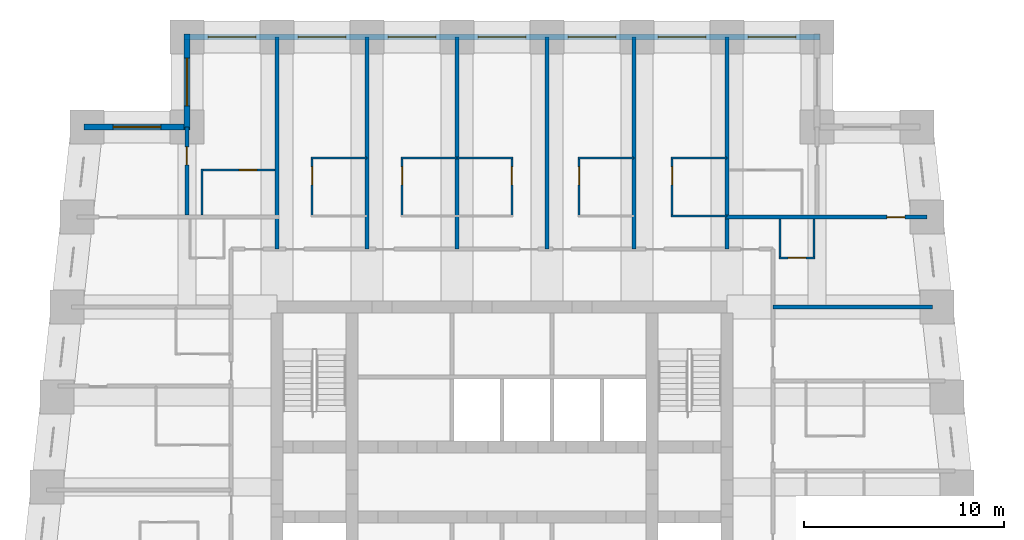
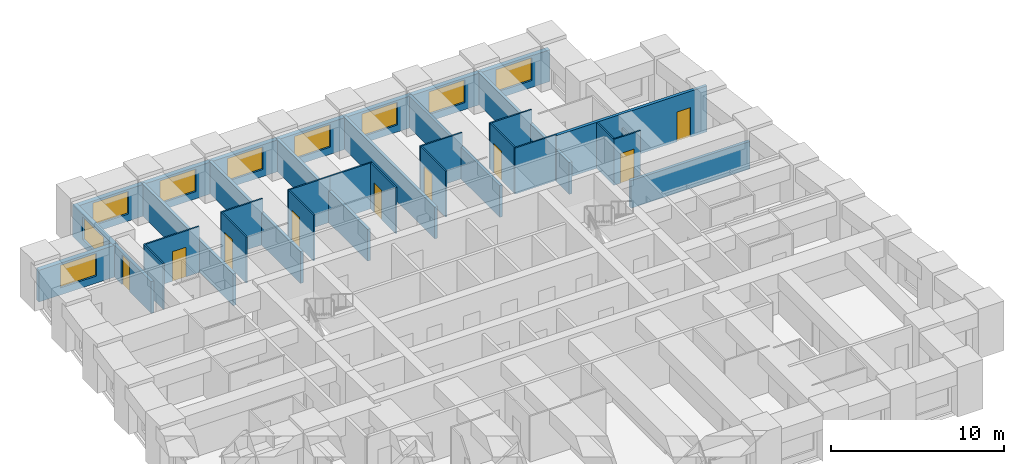
# One storey, part 6 of 8: 28 walls, 9 doors, 9 windows, 18 openings.
"""IFC4 building model written with IfcOpenShell, lengths in metres."""

from ifc_helpers import new_model, si_unit, direction, frame, frame_2d, origin, place, context, subcontext, project, spatial, rectangle, extrude, material, layer, layer_set, type_object, element, fill, save


model = new_model("IFC4")

# Units and contexts
model_context = context("Model", 3, precision=1e-05, world=origin(), true_north=direction((0.0, 1.0)))
body_context = subcontext(model_context, "Body", "Model", "MODEL_VIEW")
ifc_project = project(units=[si_unit("LENGTHUNIT", "METRE"), si_unit("AREAUNIT", "SQUARE_METRE"), si_unit("VOLUMEUNIT", "CUBIC_METRE"), si_unit("PLANEANGLEUNIT", "RADIAN"), si_unit("MASSUNIT", "GRAM", prefix="KILO")], contexts=[model_context])

# Site, building, storey
site_placement = place(None, origin())
site = spatial("IfcSite", under=ifc_project, at=site_placement, CompositionType="ELEMENT")
building_placement = place(site_placement, origin())
building = spatial("IfcBuilding", under=site, at=building_placement, Name="Kilele Tower Hotel", CompositionType="ELEMENT")
storey_placement = place(building_placement, frame((0.0, 0.0, 186.89990234375)))
storey = spatial("IfcBuildingStorey", under=building, at=storey_placement, Name="L48", CompositionType="ELEMENT", Elevation=186.89990234375)

# Wall
ifc_material_1 = material(Name="Moisture-resistant board")
ifc_layer_1 = layer(ifc_material_1, 0.10009765625)
ifc_layer_set_1 = layer_set([ifc_layer_1], Name="Moisture-resistant board")
wall_type_1 = type_object("IfcWallType", Name="Bathroom partition 100", PredefinedType="PLUMBINGWALL", material=ifc_layer_set_1)
wall_1_placement = place(storey_placement, frame((15.199951171875, 34.449951171875, 0.0), z_axis=(0.0, 0.0, 1.0), x_axis=(1.0, 0.0, 0.0)))
element("IfcWall", 1, at=wall_1_placement, inside=storey, type_object=wall_type_1, Name="Bathroom partition 100 L48", PredefinedType="PLUMBINGWALL", context=body_context, shape_type="SweptSolid", body=[
    extrude(rectangle(XDim=2.800048828125, YDim=0.10009765625, at=frame_2d((1.39990234375, 0.0))), origin(), (0.0, 0.0, 1.0), 3.25),
])

# Wall, opening, door
wall_2_placement = place(storey_placement, frame((15.25, 31.5, 0.0), z_axis=(0.0, 0.0, 1.0), x_axis=(0.0, 1.0, 0.0)))
wall_2 = element("IfcWall", 2, at=wall_2_placement, inside=storey, type_object=wall_type_1, Name="Bathroom partition 100 L48", PredefinedType="PLUMBINGWALL", context=body_context, shape_type="SweptSolid", body=[
    extrude(rectangle(XDim=3.0, YDim=0.10009765625, at=frame_2d((1.5, 0.0))), origin(), (0.0, 0.0, 1.0), 3.25),
])
opening_1_placement = place(wall_2_placement, frame((1.60009765625, 0.0, 0.0)))
opening_1 = element("IfcOpeningElement", 3, at=opening_1_placement, cuts=wall_2, Name="Opening D2A", PredefinedType="OPENING", context=body_context, shape_type="SweptSolid", body=[
    extrude(rectangle(XDim=0.89990234375, YDim=2.10009765625, at=frame_2d((0.449951171875, 1.050048828125))), frame((0.0, 0.06005859375, 0.0), z_axis=(0.0, -1.0, 0.0), x_axis=(1.0, 0.0, 0.0)), (0.0, 0.0, 1.0), 0.1201171875),
])
ifc_material_2 = material(Name="Timber door leaf in hardwood frame", Category="wood")
door_type_1 = type_object("IfcDoorType", Name="Bathroom door 900", OperationType="SINGLE_SWING_LEFT", PredefinedType="DOOR", material=ifc_material_2)
door_1_placement = place(opening_1_placement, origin())
door_1 = element("IfcDoor", 4, at=door_1_placement, inside=storey, type_object=door_type_1, Name="Bathroom door 4809B", OperationType="SINGLE_SWING_RIGHT", OverallHeight=2.10009765625, OverallWidth=0.89990234375, PredefinedType="DOOR", context=body_context, shape_type="SweptSolid", body=[
    extrude(rectangle(XDim=0.89990234375, YDim=2.10009765625, at=frame_2d((0.449951171875, 1.050048828125))), frame((0.0, 0.02490234375, 0.0), z_axis=(0.0, -1.0, 0.0), x_axis=(1.0, 0.0, 0.0)), (0.0, 0.0, 1.0), 0.050048828125),
])
fill(opening_1, door_1)

# Wall
wall_3_placement = place(storey_placement, frame((19.699951171875, 34.449951171875, 0.0), z_axis=(0.0, 0.0, 1.0), x_axis=(1.0, 0.0, 0.0)))
element("IfcWall", 5, at=wall_3_placement, inside=storey, type_object=wall_type_1, Name="Bathroom partition 100 L48", PredefinedType="PLUMBINGWALL", context=body_context, shape_type="SweptSolid", body=[
    extrude(rectangle(XDim=2.800048828125, YDim=0.10009765625, at=frame_2d((1.39990234375, 0.0))), origin(), (0.0, 0.0, 1.0), 3.25),
])

# Wall, opening, door
wall_4_placement = place(storey_placement, frame((19.75, 31.5, 0.0), z_axis=(0.0, 0.0, 1.0), x_axis=(0.0, 1.0, 0.0)))
wall_4 = element("IfcWall", 6, at=wall_4_placement, inside=storey, type_object=wall_type_1, Name="Bathroom partition 100 L48", PredefinedType="PLUMBINGWALL", context=body_context, shape_type="SweptSolid", body=[
    extrude(rectangle(XDim=3.0, YDim=0.10009765625, at=frame_2d((1.5, 0.0))), origin(), (0.0, 0.0, 1.0), 3.25),
])
opening_2_placement = place(wall_4_placement, frame((1.60009765625, 0.0, 0.0)))
opening_2 = element("IfcOpeningElement", 7, at=opening_2_placement, cuts=wall_4, Name="Opening D2A", PredefinedType="OPENING", context=body_context, shape_type="SweptSolid", body=[
    extrude(rectangle(XDim=0.89990234375, YDim=2.10009765625, at=frame_2d((0.449951171875, 1.050048828125))), frame((0.0, 0.06005859375, 0.0), z_axis=(0.0, -1.0, 0.0), x_axis=(1.0, 0.0, 0.0)), (0.0, 0.0, 1.0), 0.1201171875),
])
door_2_placement = place(opening_2_placement, origin())
door_2 = element("IfcDoor", 8, at=door_2_placement, inside=storey, type_object=door_type_1, Name="Bathroom door 4810B", OperationType="SINGLE_SWING_RIGHT", OverallHeight=2.10009765625, OverallWidth=0.89990234375, PredefinedType="DOOR", context=body_context, shape_type="SweptSolid", body=[
    extrude(rectangle(XDim=0.89990234375, YDim=2.10009765625, at=frame_2d((0.449951171875, 1.050048828125))), frame((0.0, 0.02490234375, 0.0), z_axis=(0.0, -1.0, 0.0), x_axis=(1.0, 0.0, 0.0)), (0.0, 0.0, 1.0), 0.050048828125),
])
fill(opening_2, door_2)

# Wall
wall_5_placement = place(storey_placement, frame((22.5, 34.449951171875, 0.0), z_axis=(0.0, 0.0, 1.0), x_axis=(1.0, 0.0, 0.0)))
element("IfcWall", 9, at=wall_5_placement, inside=storey, type_object=wall_type_1, Name="Bathroom partition 100 L48", PredefinedType="PLUMBINGWALL", context=body_context, shape_type="SweptSolid", body=[
    extrude(rectangle(XDim=2.800048828125, YDim=0.10009765625, at=frame_2d((1.39990234375, 0.0))), origin(), (0.0, 0.0, 1.0), 3.25),
])

# Wall, opening, door
wall_6_placement = place(storey_placement, frame((25.25, 31.5, 0.0), z_axis=(0.0, 0.0, 1.0), x_axis=(0.0, 1.0, 0.0)))
wall_6 = element("IfcWall", 10, at=wall_6_placement, inside=storey, type_object=wall_type_1, Name="Bathroom partition 100 L48", PredefinedType="PLUMBINGWALL", context=body_context, shape_type="SweptSolid", body=[
    extrude(rectangle(XDim=3.0, YDim=0.10009765625, at=frame_2d((1.5, 0.0))), origin(), (0.0, 0.0, 1.0), 3.25),
])
opening_3_placement = place(wall_6_placement, frame((2.5, 0.0, 0.0), z_axis=(0.0, 0.0, 1.0), x_axis=(-1.0, 0.0, 0.0)))
opening_3 = element("IfcOpeningElement", 11, at=opening_3_placement, cuts=wall_6, Name="Opening D2A", PredefinedType="OPENING", context=body_context, shape_type="SweptSolid", body=[
    extrude(rectangle(XDim=0.89990234375, YDim=2.10009765625, at=frame_2d((0.449951171875, 1.050048828125))), frame((0.0, 0.06005859375, 0.0), z_axis=(0.0, -1.0, 0.0), x_axis=(1.0, 0.0, 0.0)), (0.0, 0.0, 1.0), 0.1201171875),
])
door_3_placement = place(opening_3_placement, origin())
door_3 = element("IfcDoor", 12, at=door_3_placement, inside=storey, type_object=door_type_1, Name="Bathroom door 4811B", OperationType="SINGLE_SWING_LEFT", OverallHeight=2.10009765625, OverallWidth=0.89990234375, PredefinedType="DOOR", context=body_context, shape_type="SweptSolid", body=[
    extrude(rectangle(XDim=0.89990234375, YDim=2.10009765625, at=frame_2d((0.449951171875, 1.050048828125))), frame((0.0, 0.02490234375, 0.0), z_axis=(0.0, -1.0, 0.0), x_axis=(1.0, 0.0, 0.0)), (0.0, 0.0, 1.0), 0.050048828125),
])
fill(opening_3, door_3)

# Wall
wall_7_placement = place(storey_placement, frame((28.550048828125, 34.449951171875, 0.0), z_axis=(0.0, 0.0, 1.0), x_axis=(1.0, 0.0, 0.0)))
element("IfcWall", 13, at=wall_7_placement, inside=storey, type_object=wall_type_1, Name="Bathroom partition 100 L48", PredefinedType="PLUMBINGWALL", context=body_context, shape_type="SweptSolid", body=[
    extrude(rectangle(XDim=2.800048828125, YDim=0.10009765625, at=frame_2d((1.39990234375, 0.0))), origin(), (0.0, 0.0, 1.0), 3.25),
])

# Wall, opening, door
wall_8_placement = place(storey_placement, frame((28.60009765625, 31.5, 0.0), z_axis=(0.0, 0.0, 1.0), x_axis=(0.0, 1.0, 0.0)))
wall_8 = element("IfcWall", 14, at=wall_8_placement, inside=storey, type_object=wall_type_1, Name="Bathroom partition 100 L48", PredefinedType="PLUMBINGWALL", context=body_context, shape_type="SweptSolid", body=[
    extrude(rectangle(XDim=3.0, YDim=0.10009765625, at=frame_2d((1.5, 0.0))), origin(), (0.0, 0.0, 1.0), 3.25),
])
opening_4_placement = place(wall_8_placement, frame((1.60009765625, 0.0, 0.0)))
opening_4 = element("IfcOpeningElement", 15, at=opening_4_placement, cuts=wall_8, Name="Opening D2A", PredefinedType="OPENING", context=body_context, shape_type="SweptSolid", body=[
    extrude(rectangle(XDim=0.89990234375, YDim=2.10009765625, at=frame_2d((0.449951171875, 1.050048828125))), frame((0.0, 0.06005859375, 0.0), z_axis=(0.0, -1.0, 0.0), x_axis=(1.0, 0.0, 0.0)), (0.0, 0.0, 1.0), 0.1201171875),
])
door_4_placement = place(opening_4_placement, origin())
door_4 = element("IfcDoor", 16, at=door_4_placement, inside=storey, type_object=door_type_1, Name="Bathroom door 4812B", OperationType="SINGLE_SWING_RIGHT", OverallHeight=2.10009765625, OverallWidth=0.89990234375, PredefinedType="DOOR", context=body_context, shape_type="SweptSolid", body=[
    extrude(rectangle(XDim=0.89990234375, YDim=2.10009765625, at=frame_2d((0.449951171875, 1.050048828125))), frame((0.0, 0.02490234375, 0.0), z_axis=(0.0, -1.0, 0.0), x_axis=(1.0, 0.0, 0.0)), (0.0, 0.0, 1.0), 0.050048828125),
])
fill(opening_4, door_4)

# Walls
for number, where, z_axis, x_axis, name in (
    (17, (33.199951171875, 31.550048828125, 0.0), (0.0, 0.0, 1.0), (1.0, 0.0, 0.0), "Bathroom partition 100 L48"),
    (18, (33.199951171875, 34.449951171875, 0.0), (0.0, 0.0, 1.0), (1.0, 0.0, 0.0), "Bathroom partition 100 L48"),
):
    element("IfcWall", number, at=place(storey_placement, frame(where, z_axis=z_axis, x_axis=x_axis)), inside=storey, type_object=wall_type_1, Name=name, PredefinedType="PLUMBINGWALL", context=body_context, shape_type="SweptSolid", body=[
        extrude(rectangle(XDim=2.800048828125, YDim=0.10009765625, at=frame_2d((1.39990234375, 0.0))), origin(), (0.0, 0.0, 1.0), 3.25),
    ])

# Wall, opening, door
wall_9_placement = place(storey_placement, frame((33.25, 31.5, 0.0), z_axis=(0.0, 0.0, 1.0), x_axis=(0.0, 1.0, 0.0)))
wall_9 = element("IfcWall", 19, at=wall_9_placement, inside=storey, type_object=wall_type_1, Name="Bathroom partition 100 L48", PredefinedType="PLUMBINGWALL", context=body_context, shape_type="SweptSolid", body=[
    extrude(rectangle(XDim=3.0, YDim=0.10009765625, at=frame_2d((1.5, 0.0))), origin(), (0.0, 0.0, 1.0), 3.25),
])
opening_5_placement = place(wall_9_placement, frame((1.60009765625, 0.0, 0.0)))
opening_5 = element("IfcOpeningElement", 20, at=opening_5_placement, cuts=wall_9, Name="Opening D2A", PredefinedType="OPENING", context=body_context, shape_type="SweptSolid", body=[
    extrude(rectangle(XDim=0.89990234375, YDim=2.10009765625, at=frame_2d((0.449951171875, 1.050048828125))), frame((0.0, 0.06005859375, 0.0), z_axis=(0.0, -1.0, 0.0), x_axis=(1.0, 0.0, 0.0)), (0.0, 0.0, 1.0), 0.1201171875),
])
door_5_placement = place(opening_5_placement, origin())
door_5 = element("IfcDoor", 21, at=door_5_placement, inside=storey, type_object=door_type_1, Name="Bathroom door 4813B", OperationType="SINGLE_SWING_RIGHT", OverallHeight=2.10009765625, OverallWidth=0.89990234375, PredefinedType="DOOR", context=body_context, shape_type="SweptSolid", body=[
    extrude(rectangle(XDim=0.89990234375, YDim=2.10009765625, at=frame_2d((0.449951171875, 1.050048828125))), frame((0.0, 0.02490234375, 0.0), z_axis=(0.0, -1.0, 0.0), x_axis=(1.0, 0.0, 0.0)), (0.0, 0.0, 1.0), 0.050048828125),
])
fill(opening_5, door_5)

# Walls
wall_10_placement = place(storey_placement, frame((40.35009765625, 31.39990234375, 0.0), z_axis=(0.0, 0.0, 1.0), x_axis=(0.0, -1.0, 0.0)))
element("IfcWall", 22, at=wall_10_placement, inside=storey, type_object=wall_type_1, Name="Bathroom partition 100 L48", PredefinedType="PLUMBINGWALL", context=body_context, shape_type="SweptSolid", body=[
    extrude(rectangle(XDim=2.0, YDim=0.10009765625, at=frame_2d((1.0, 0.0))), origin(), (0.0, 0.0, 1.0), 2.25),
])
wall_11_placement = place(storey_placement, frame((38.64990234375, 31.39990234375, 0.0), z_axis=(0.0, 0.0, 1.0), x_axis=(0.0, -1.0, 0.0)))
element("IfcWall", 23, at=wall_11_placement, inside=storey, type_object=wall_type_1, Name="Bathroom partition 100 L48", PredefinedType="PLUMBINGWALL", context=body_context, shape_type="SweptSolid", body=[
    extrude(rectangle(XDim=2.0, YDim=0.10009765625, at=frame_2d((1.0, 0.0))), origin(), (0.0, 0.0, 1.0), 3.25),
])

# Wall, opening, door
wall_12_placement = place(storey_placement, frame((38.60009765625, 29.449951171875, 0.0), z_axis=(0.0, 0.0, 1.0), x_axis=(1.0, 0.0, 0.0)))
wall_12 = element("IfcWall", 24, at=wall_12_placement, inside=storey, type_object=wall_type_1, Name="Bathroom partition 100 L48", PredefinedType="PLUMBINGWALL", context=body_context, shape_type="SweptSolid", body=[
    extrude(rectangle(XDim=1.7998046875, YDim=0.10009765625, at=frame_2d((0.89990234375, 0.0))), origin(), (0.0, 0.0, 1.0), 3.25),
])
opening_6_placement = place(wall_12_placement, frame((1.349853515625, 0.0, 0.0), z_axis=(0.0, 0.0, 1.0), x_axis=(-1.0, 0.0, 0.0)))
opening_6 = element("IfcOpeningElement", 25, at=opening_6_placement, cuts=wall_12, Name="Opening D2A", PredefinedType="OPENING", context=body_context, shape_type="SweptSolid", body=[
    extrude(rectangle(XDim=0.89990234375, YDim=2.10009765625, at=frame_2d((0.449951171875, 1.050048828125))), frame((0.0, 0.06005859375, 0.0), z_axis=(0.0, -1.0, 0.0), x_axis=(1.0, 0.0, 0.0)), (0.0, 0.0, 1.0), 0.1201171875),
])
door_6_placement = place(opening_6_placement, origin())
door_6 = element("IfcDoor", 26, at=door_6_placement, inside=storey, type_object=door_type_1, Name="Bathroom door 4822P", OperationType="SINGLE_SWING_RIGHT", OverallHeight=2.10009765625, OverallWidth=0.89990234375, PredefinedType="DOOR", context=body_context, shape_type="SweptSolid", body=[
    extrude(rectangle(XDim=0.89990234375, YDim=2.10009765625, at=frame_2d((0.449951171875, 1.050048828125))), frame((0.0, 0.02490234375, 0.0), z_axis=(0.0, -1.0, 0.0), x_axis=(1.0, 0.0, 0.0)), (0.0, 0.0, 1.0), 0.050048828125),
])
fill(opening_6, door_6)

# Wall
wall_13_placement = place(storey_placement, frame((9.75, 31.60009765625, 0.0), z_axis=(0.0, 0.0, 1.0), x_axis=(0.0, 1.0, 0.0)))
element("IfcWall", 27, at=wall_13_placement, inside=storey, type_object=wall_type_1, Name="Bathroom partition 100 L48", PredefinedType="PLUMBINGWALL", context=body_context, shape_type="SweptSolid", body=[
    extrude(rectangle(XDim=2.2998046875, YDim=0.10009765625, at=frame_2d((1.14990234375, 0.0))), origin(), (0.0, 0.0, 1.0), 3.25),
])

# Wall, opening, door
wall_14_placement = place(storey_placement, frame((13.39990234375, 33.85009765625, 0.0), z_axis=(0.0, 0.0, 1.0), x_axis=(-1.0, 0.0, 0.0)))
wall_14 = element("IfcWall", 28, at=wall_14_placement, inside=storey, type_object=wall_type_1, Name="Bathroom partition 100 L48", PredefinedType="PLUMBINGWALL", context=body_context, shape_type="SweptSolid", body=[
    extrude(rectangle(XDim=3.699951171875, YDim=0.10009765625, at=frame_2d((1.85009765625, 0.0))), origin(), (0.0, 0.0, 1.0), 3.25),
])
opening_7_placement = place(wall_14_placement, frame((1.7998046875, 0.0, 0.0), z_axis=(0.0, 0.0, 1.0), x_axis=(-1.0, 0.0, 0.0)))
opening_7 = element("IfcOpeningElement", 29, at=opening_7_placement, cuts=wall_14, Name="Opening D2A", PredefinedType="OPENING", context=body_context, shape_type="SweptSolid", body=[
    extrude(rectangle(XDim=0.89990234375, YDim=2.10009765625, at=frame_2d((0.449951171875, 1.050048828125))), frame((0.0, 0.06005859375, 0.0), z_axis=(0.0, -1.0, 0.0), x_axis=(1.0, 0.0, 0.0)), (0.0, 0.0, 1.0), 0.1201171875),
])
door_7_placement = place(opening_7_placement, origin())
door_7 = element("IfcDoor", 30, at=door_7_placement, inside=storey, type_object=door_type_1, Name="Bathroom door 4826B", OperationType="SINGLE_SWING_RIGHT", OverallHeight=2.10009765625, OverallWidth=0.89990234375, PredefinedType="DOOR", context=body_context, shape_type="SweptSolid", body=[
    extrude(rectangle(XDim=0.89990234375, YDim=2.10009765625, at=frame_2d((0.449951171875, 1.050048828125))), frame((0.0, 0.02490234375, 0.0), z_axis=(0.0, -1.0, 0.0), x_axis=(1.0, 0.0, 0.0)), (0.0, 0.0, 1.0), 0.050048828125),
])
fill(opening_7, door_7)

ifc_material_3 = material(Name="Blockwork, plastered both sides", Category="masonry")
ifc_layer_2 = layer(ifc_material_3, 0.199951171875)
ifc_layer_set_2 = layer_set([ifc_layer_2], Name="Blockwork, plastered both sides")
wall_type_2 = type_object("IfcWallType", Name="Partition wall 200", PredefinedType="PARTITIONING", material=ifc_layer_set_2)
wall_15_placement = place(storey_placement, frame((9.0, 31.60009765625, 0.0), z_axis=(0.0, 0.0, 1.0), x_axis=(0.0, 1.0, 0.0)))
wall_15 = element("IfcWall", 31, at=wall_15_placement, inside=storey, type_object=wall_type_2, Name="Partition wall 200 L48", PredefinedType="PARTITIONING", context=body_context, shape_type="SweptSolid", body=[
    extrude(rectangle(XDim=4.39990234375, YDim=0.199951171875, at=frame_2d((2.199951171875, 0.0))), origin(), (0.0, 0.0, 1.0), 2.25),
])
opening_8_placement = place(wall_15_placement, frame((3.39990234375, 0.0, 0.0), z_axis=(0.0, 0.0, 1.0), x_axis=(-1.0, 0.0, 0.0)))
opening_8 = element("IfcOpeningElement", 32, at=opening_8_placement, cuts=wall_15, Name="Opening D3", PredefinedType="OPENING", context=body_context, shape_type="SweptSolid", body=[
    extrude(rectangle(XDim=0.89990234375, YDim=2.10009765625, at=frame_2d((0.449951171875, 1.050048828125))), frame((0.0, 0.10986328125, 0.0), z_axis=(0.0, -1.0, 0.0), x_axis=(1.0, 0.0, 0.0)), (0.0, 0.0, 1.0), 0.219970703125),
])
ifc_material_4 = material(Name="Timber door leaf in hardwood frame", Category="wood")
door_type_2 = type_object("IfcDoorType", Name="Suite internal door 900", OperationType="SINGLE_SWING_LEFT", PredefinedType="DOOR", material=ifc_material_4)
door_8_placement = place(opening_8_placement, origin())
door_8 = element("IfcDoor", 33, at=door_8_placement, inside=storey, type_object=door_type_2, Name="Suite door 4827", OperationType="SINGLE_SWING_RIGHT", OverallHeight=2.10009765625, OverallWidth=0.89990234375, PredefinedType="DOOR", context=body_context, shape_type="SweptSolid", body=[
    extrude(rectangle(XDim=0.89990234375, YDim=2.10009765625, at=frame_2d((0.449951171875, 1.050048828125))), frame((0.0, 0.02490234375, 0.0), z_axis=(0.0, -1.0, 0.0), x_axis=(1.0, 0.0, 0.0)), (0.0, 0.0, 1.0), 0.050048828125),
])
fill(opening_8, door_8)

# Walls
ifc_material_5 = material(Name="Blockwork, plastered both sides", Category="masonry")
ifc_layer_3 = layer(ifc_material_5, 0.199951171875)
ifc_layer_set_3 = layer_set([ifc_layer_3], Name="Blockwork, plastered both sides")
wall_type_3 = type_object("IfcWallType", Name="Party wall 200", PredefinedType="PARTITIONING", material=ifc_layer_set_3)
for number, where, z_axis, x_axis, name in (
    (34, (18.0, 29.89990234375, 0.0), (0.0, 0.0, 1.0), (0.0, 1.0, 0.0), "Party wall 200 L48"),
    (35, (22.5, 29.89990234375, 0.0), (0.0, 0.0, 1.0), (0.0, 1.0, 0.0), "Party wall 200 L48"),
    (36, (27.0, 29.89990234375, 0.0), (0.0, 0.0, 1.0), (0.0, 1.0, 0.0), "Party wall 200 L48"),
    (37, (31.35009765625, 29.89990234375, 0.0), (0.0, 0.0, 1.0), (0.0, 1.0, 0.0), "Party wall 200 L48"),
):
    element("IfcWall", number, at=place(storey_placement, frame(where, z_axis=z_axis, x_axis=x_axis)), inside=storey, type_object=wall_type_3, Name=name, PredefinedType="PARTITIONING", context=body_context, shape_type="SweptSolid", body=[
        extrude(rectangle(XDim=10.60009765625, YDim=0.199951171875, at=frame_2d((5.300048828125, 0.0))), origin(), (0.0, 0.0, 1.0), 2.25),
    ])
wall_16_placement = place(storey_placement, frame((38.300048828125, 27.0, 0.0), z_axis=(0.0, 0.0, 1.0), x_axis=(1.0, 0.0, 0.0)))
element("IfcWall", 38, at=wall_16_placement, inside=storey, type_object=wall_type_3, Name="Party wall 200 L48", PredefinedType="PARTITIONING", context=body_context, shape_type="SweptSolid", body=[
    extrude(rectangle(XDim=7.976806640625, YDim=0.199951171875, at=frame_2d((3.98828125, 0.0))), origin(), (0.0, 0.0, 1.0), 1.9501953125),
])
wall_17_placement = place(storey_placement, frame((36.0, 29.89990234375, 0.0), z_axis=(0.0, 0.0, 1.0), x_axis=(0.0, 1.0, 0.0)))
element("IfcWall", 39, at=wall_17_placement, inside=storey, type_object=wall_type_3, Name="Party wall 200 L48", PredefinedType="PARTITIONING", context=body_context, shape_type="SweptSolid", body=[
    extrude(rectangle(XDim=10.60009765625, YDim=0.199951171875, at=frame_2d((5.300048828125, 0.0))), origin(), (0.0, 0.0, 1.0), 2.25),
])

# Wall, opening, door
wall_18_placement = place(storey_placement, frame((35.89990234375, 31.5, 0.0), z_axis=(0.0, 0.0, 1.0), x_axis=(1.0, 0.0, 0.0)))
wall_18 = element("IfcWall", 40, at=wall_18_placement, inside=storey, type_object=wall_type_3, Name="Party wall 200 L48", PredefinedType="PARTITIONING", context=body_context, shape_type="SweptSolid", body=[
    extrude(rectangle(XDim=10.09912109375, YDim=0.199951171875, at=frame_2d((5.049560546875, 0.0))), origin(), (0.0, 0.0, 1.0), 3.25),
])
opening_9_placement = place(wall_18_placement, frame((8.09912109375, 0.0, 0.0)))
opening_9 = element("IfcOpeningElement", 41, at=opening_9_placement, cuts=wall_18, Name="Opening D3", PredefinedType="OPENING", context=body_context, shape_type="SweptSolid", body=[
    extrude(rectangle(XDim=0.89990234375, YDim=2.10009765625, at=frame_2d((0.449951171875, 1.050048828125))), frame((0.0, 0.10986328125, 0.0), z_axis=(0.0, -1.0, 0.0), x_axis=(1.0, 0.0, 0.0)), (0.0, 0.0, 1.0), 0.219970703125),
])
door_9_placement = place(opening_9_placement, origin())
door_9 = element("IfcDoor", 42, at=door_9_placement, inside=storey, type_object=door_type_2, Name="Suite door 4823", OperationType="SINGLE_SWING_RIGHT", OverallHeight=2.10009765625, OverallWidth=0.89990234375, PredefinedType="DOOR", context=body_context, shape_type="SweptSolid", body=[
    extrude(rectangle(XDim=0.89990234375, YDim=2.10009765625, at=frame_2d((0.449951171875, 1.050048828125))), frame((0.0, 0.02490234375, 0.0), z_axis=(0.0, -1.0, 0.0), x_axis=(1.0, 0.0, 0.0)), (0.0, 0.0, 1.0), 0.050048828125),
])
fill(opening_9, door_9)

# Wall
wall_19_placement = place(storey_placement, frame((13.5, 29.89990234375, 0.0), z_axis=(0.0, 0.0, 1.0), x_axis=(0.0, 1.0, 0.0)))
element("IfcWall", 43, at=wall_19_placement, inside=storey, type_object=wall_type_3, Name="Party wall 200 L48", PredefinedType="PARTITIONING", context=body_context, shape_type="SweptSolid", body=[
    extrude(rectangle(XDim=10.60009765625, YDim=0.199951171875, at=frame_2d((5.300048828125, 0.0))), origin(), (0.0, 0.0, 1.0), 2.25),
])

# Wall, openings, windows
ifc_material_6 = material(Name="Concrete C40/50 precast", Category="concrete")
ifc_layer_4 = layer(ifc_material_6, 0.260009765625, Name="Precast backing", Category="LoadBearing")
ifc_material_7 = material(Name="Reconstituted stone finish", Category="masonry")
ifc_layer_5 = layer(ifc_material_7, 0.0400390625, Name="Face mix", Category="Finish")
ifc_layer_set_4 = layer_set([ifc_layer_4, ifc_layer_5], Name="Precast concrete C40/50, reconstituted stone finish")
wall_type_4 = type_object("IfcWallType", Name="Precast stone facade wall 300", PredefinedType="STANDARD", material=ifc_layer_set_4)
wall_20_placement = place(storey_placement, frame((40.64990234375, 40.5, 0.0), z_axis=(0.0, 0.0, 1.0), x_axis=(-1.0, 0.0, 0.0)))
wall_20 = element("IfcWall", 44, at=wall_20_placement, inside=storey, type_object=wall_type_4, Name="Facade wall L48 edge 9", PredefinedType="STANDARD", context=body_context, shape_type="SweptSolid", body=[
    extrude(rectangle(XDim=31.7998046875, YDim=0.300048828125, at=frame_2d((15.89990234375, 0.0))), origin(), (0.0, 0.0, 1.0), 2.25),
])
opening_10_placement = place(wall_20_placement, frame((1.199951171875, 0.0, 0.5)))
opening_10 = element("IfcOpeningElement", 45, at=opening_10_placement, cuts=wall_20, Name="Opening W3", PredefinedType="OPENING", context=body_context, shape_type="SweptSolid", body=[
    extrude(rectangle(XDim=2.39990234375, YDim=1.60009765625, at=frame_2d((1.199951171875, 0.800048828125))), frame((0.0, 0.159912109375, 0.0), z_axis=(0.0, -1.0, 0.0), x_axis=(1.0, 0.0, 0.0)), (0.0, 0.0, 1.0), 0.320068359375),
])
opening_11_placement = place(wall_20_placement, frame((5.699951171875, 0.0, 0.5)))
opening_11 = element("IfcOpeningElement", 46, at=opening_11_placement, cuts=wall_20, Name="Opening W3", PredefinedType="OPENING", context=body_context, shape_type="SweptSolid", body=[
    extrude(rectangle(XDim=2.39990234375, YDim=1.60009765625, at=frame_2d((1.199951171875, 0.800048828125))), frame((0.0, 0.159912109375, 0.0), z_axis=(0.0, -1.0, 0.0), x_axis=(1.0, 0.0, 0.0)), (0.0, 0.0, 1.0), 0.320068359375),
])
opening_12_placement = place(wall_20_placement, frame((10.199951171875, 0.0, 0.5)))
opening_12 = element("IfcOpeningElement", 47, at=opening_12_placement, cuts=wall_20, Name="Opening W3", PredefinedType="OPENING", context=body_context, shape_type="SweptSolid", body=[
    extrude(rectangle(XDim=2.39990234375, YDim=1.60009765625, at=frame_2d((1.199951171875, 0.800048828125))), frame((0.0, 0.159912109375, 0.0), z_axis=(0.0, -1.0, 0.0), x_axis=(1.0, 0.0, 0.0)), (0.0, 0.0, 1.0), 0.320068359375),
])
opening_13_placement = place(wall_20_placement, frame((14.699951171875, 0.0, 0.5)))
opening_13 = element("IfcOpeningElement", 48, at=opening_13_placement, cuts=wall_20, Name="Opening W3", PredefinedType="OPENING", context=body_context, shape_type="SweptSolid", body=[
    extrude(rectangle(XDim=2.39990234375, YDim=1.60009765625, at=frame_2d((1.199951171875, 0.800048828125))), frame((0.0, 0.159912109375, 0.0), z_axis=(0.0, -1.0, 0.0), x_axis=(1.0, 0.0, 0.0)), (0.0, 0.0, 1.0), 0.320068359375),
])
opening_14_placement = place(wall_20_placement, frame((19.199951171875, 0.0, 0.5)))
opening_14 = element("IfcOpeningElement", 49, at=opening_14_placement, cuts=wall_20, Name="Opening W3", PredefinedType="OPENING", context=body_context, shape_type="SweptSolid", body=[
    extrude(rectangle(XDim=2.39990234375, YDim=1.60009765625, at=frame_2d((1.199951171875, 0.800048828125))), frame((0.0, 0.159912109375, 0.0), z_axis=(0.0, -1.0, 0.0), x_axis=(1.0, 0.0, 0.0)), (0.0, 0.0, 1.0), 0.320068359375),
])
opening_15_placement = place(wall_20_placement, frame((23.699951171875, 0.0, 0.5)))
opening_15 = element("IfcOpeningElement", 50, at=opening_15_placement, cuts=wall_20, Name="Opening W3", PredefinedType="OPENING", context=body_context, shape_type="SweptSolid", body=[
    extrude(rectangle(XDim=2.39990234375, YDim=1.60009765625, at=frame_2d((1.199951171875, 0.800048828125))), frame((0.0, 0.159912109375, 0.0), z_axis=(0.0, -1.0, 0.0), x_axis=(1.0, 0.0, 0.0)), (0.0, 0.0, 1.0), 0.320068359375),
])
opening_16_placement = place(wall_20_placement, frame((28.199951171875, 0.0, 0.5)))
opening_16 = element("IfcOpeningElement", 51, at=opening_16_placement, cuts=wall_20, Name="Opening W3", PredefinedType="OPENING", context=body_context, shape_type="SweptSolid", body=[
    extrude(rectangle(XDim=2.39990234375, YDim=1.60009765625, at=frame_2d((1.199951171875, 0.800048828125))), frame((0.0, 0.159912109375, 0.0), z_axis=(0.0, -1.0, 0.0), x_axis=(1.0, 0.0, 0.0)), (0.0, 0.0, 1.0), 0.320068359375),
])
ifc_material_8 = material(Name="Aluminium frame, clear double glazing", Category="aluminium")
window_type = type_object("IfcWindowType", Name="Window W3 2400 x 1600", PartitioningType="SINGLE_PANEL", PredefinedType="WINDOW", material=ifc_material_8)
window_1_placement = place(opening_10_placement, origin())
window_1 = element("IfcWindow", 52, at=window_1_placement, inside=storey, type_object=window_type, Name="Window L48", OverallHeight=1.60009765625, OverallWidth=2.39990234375, PartitioningType="SINGLE_PANEL", PredefinedType="WINDOW", context=body_context, shape_type="SweptSolid", body=[
    extrude(rectangle(XDim=2.39990234375, YDim=1.60009765625, at=frame_2d((1.199951171875, 0.800048828125))), frame((0.0, 0.030029296875, 0.0), z_axis=(0.0, -1.0, 0.0), x_axis=(1.0, 0.0, 0.0)), (0.0, 0.0, 1.0), 0.06005859375),
])
fill(opening_10, window_1)
window_2_placement = place(opening_11_placement, origin())
window_2 = element("IfcWindow", 53, at=window_2_placement, inside=storey, type_object=window_type, Name="Window L48", OverallHeight=1.60009765625, OverallWidth=2.39990234375, PartitioningType="SINGLE_PANEL", PredefinedType="WINDOW", context=body_context, shape_type="SweptSolid", body=[
    extrude(rectangle(XDim=2.39990234375, YDim=1.60009765625, at=frame_2d((1.199951171875, 0.800048828125))), frame((0.0, 0.030029296875, 0.0), z_axis=(0.0, -1.0, 0.0), x_axis=(1.0, 0.0, 0.0)), (0.0, 0.0, 1.0), 0.06005859375),
])
fill(opening_11, window_2)
window_3_placement = place(opening_12_placement, origin())
window_3 = element("IfcWindow", 54, at=window_3_placement, inside=storey, type_object=window_type, Name="Window L48", OverallHeight=1.60009765625, OverallWidth=2.39990234375, PartitioningType="SINGLE_PANEL", PredefinedType="WINDOW", context=body_context, shape_type="SweptSolid", body=[
    extrude(rectangle(XDim=2.39990234375, YDim=1.60009765625, at=frame_2d((1.199951171875, 0.800048828125))), frame((0.0, 0.030029296875, 0.0), z_axis=(0.0, -1.0, 0.0), x_axis=(1.0, 0.0, 0.0)), (0.0, 0.0, 1.0), 0.06005859375),
])
fill(opening_12, window_3)
window_4_placement = place(opening_13_placement, origin())
window_4 = element("IfcWindow", 55, at=window_4_placement, inside=storey, type_object=window_type, Name="Window L48", OverallHeight=1.60009765625, OverallWidth=2.39990234375, PartitioningType="SINGLE_PANEL", PredefinedType="WINDOW", context=body_context, shape_type="SweptSolid", body=[
    extrude(rectangle(XDim=2.39990234375, YDim=1.60009765625, at=frame_2d((1.199951171875, 0.800048828125))), frame((0.0, 0.030029296875, 0.0), z_axis=(0.0, -1.0, 0.0), x_axis=(1.0, 0.0, 0.0)), (0.0, 0.0, 1.0), 0.06005859375),
])
fill(opening_13, window_4)
window_5_placement = place(opening_14_placement, origin())
window_5 = element("IfcWindow", 56, at=window_5_placement, inside=storey, type_object=window_type, Name="Window L48", OverallHeight=1.60009765625, OverallWidth=2.39990234375, PartitioningType="SINGLE_PANEL", PredefinedType="WINDOW", context=body_context, shape_type="SweptSolid", body=[
    extrude(rectangle(XDim=2.39990234375, YDim=1.60009765625, at=frame_2d((1.199951171875, 0.800048828125))), frame((0.0, 0.030029296875, 0.0), z_axis=(0.0, -1.0, 0.0), x_axis=(1.0, 0.0, 0.0)), (0.0, 0.0, 1.0), 0.06005859375),
])
fill(opening_14, window_5)
window_6_placement = place(opening_15_placement, origin())
window_6 = element("IfcWindow", 57, at=window_6_placement, inside=storey, type_object=window_type, Name="Window L48", OverallHeight=1.60009765625, OverallWidth=2.39990234375, PartitioningType="SINGLE_PANEL", PredefinedType="WINDOW", context=body_context, shape_type="SweptSolid", body=[
    extrude(rectangle(XDim=2.39990234375, YDim=1.60009765625, at=frame_2d((1.199951171875, 0.800048828125))), frame((0.0, 0.030029296875, 0.0), z_axis=(0.0, -1.0, 0.0), x_axis=(1.0, 0.0, 0.0)), (0.0, 0.0, 1.0), 0.06005859375),
])
fill(opening_15, window_6)
window_7_placement = place(opening_16_placement, origin())
window_7 = element("IfcWindow", 58, at=window_7_placement, inside=storey, type_object=window_type, Name="Window L48", OverallHeight=1.60009765625, OverallWidth=2.39990234375, PartitioningType="SINGLE_PANEL", PredefinedType="WINDOW", context=body_context, shape_type="SweptSolid", body=[
    extrude(rectangle(XDim=2.39990234375, YDim=1.60009765625, at=frame_2d((1.199951171875, 0.800048828125))), frame((0.0, 0.030029296875, 0.0), z_axis=(0.0, -1.0, 0.0), x_axis=(1.0, 0.0, 0.0)), (0.0, 0.0, 1.0), 0.06005859375),
])
fill(opening_16, window_7)

# Wall, opening, window
wall_21_placement = place(storey_placement, frame((9.0, 40.64990234375, 0.0), z_axis=(0.0, 0.0, 1.0), x_axis=(0.0, -1.0, 0.0)))
wall_21 = element("IfcWall", 59, at=wall_21_placement, inside=storey, type_object=wall_type_4, Name="Facade wall L48 edge 10", PredefinedType="STANDARD", context=body_context, shape_type="SweptSolid", body=[
    extrude(rectangle(XDim=4.7998046875, YDim=0.300048828125, at=frame_2d((2.39990234375, 0.0))), origin(), (0.0, 0.0, 1.0), 2.25),
])
opening_17_placement = place(wall_21_placement, frame((1.199951171875, 0.0, 0.5)))
opening_17 = element("IfcOpeningElement", 60, at=opening_17_placement, cuts=wall_21, Name="Opening W3", PredefinedType="OPENING", context=body_context, shape_type="SweptSolid", body=[
    extrude(rectangle(XDim=2.39990234375, YDim=1.60009765625, at=frame_2d((1.199951171875, 0.800048828125))), frame((0.0, 0.159912109375, 0.0), z_axis=(0.0, -1.0, 0.0), x_axis=(1.0, 0.0, 0.0)), (0.0, 0.0, 1.0), 0.320068359375),
])
window_8_placement = place(opening_17_placement, origin())
window_8 = element("IfcWindow", 61, at=window_8_placement, inside=storey, type_object=window_type, Name="Window L48", OverallHeight=1.60009765625, OverallWidth=2.39990234375, PartitioningType="SINGLE_PANEL", PredefinedType="WINDOW", context=body_context, shape_type="SweptSolid", body=[
    extrude(rectangle(XDim=2.39990234375, YDim=1.60009765625, at=frame_2d((1.199951171875, 0.800048828125))), frame((0.0, 0.030029296875, 0.0), z_axis=(0.0, -1.0, 0.0), x_axis=(1.0, 0.0, 0.0)), (0.0, 0.0, 1.0), 0.06005859375),
])
fill(opening_17, window_8)

wall_22_placement = place(storey_placement, frame((9.14990234375, 36.0, 0.0), z_axis=(0.0, 0.0, 1.0), x_axis=(-1.0, 0.0, 0.0)))
wall_22 = element("IfcWall", 62, at=wall_22_placement, inside=storey, type_object=wall_type_4, Name="Facade wall L48 edge 11", PredefinedType="STANDARD", context=body_context, shape_type="SweptSolid", body=[
    extrude(rectangle(XDim=5.2998046875, YDim=0.300048828125, at=frame_2d((2.64990234375, 0.0))), origin(), (0.0, 0.0, 1.0), 2.25),
])
opening_18_placement = place(wall_22_placement, frame((1.449951171875, 0.0, 0.5)))
opening_18 = element("IfcOpeningElement", 63, at=opening_18_placement, cuts=wall_22, Name="Opening W3", PredefinedType="OPENING", context=body_context, shape_type="SweptSolid", body=[
    extrude(rectangle(XDim=2.39990234375, YDim=1.60009765625, at=frame_2d((1.199951171875, 0.800048828125))), frame((0.0, 0.159912109375, 0.0), z_axis=(0.0, -1.0, 0.0), x_axis=(1.0, 0.0, 0.0)), (0.0, 0.0, 1.0), 0.320068359375),
])
window_9_placement = place(opening_18_placement, origin())
window_9 = element("IfcWindow", 64, at=window_9_placement, inside=storey, type_object=window_type, Name="Window L48", OverallHeight=1.60009765625, OverallWidth=2.39990234375, PartitioningType="SINGLE_PANEL", PredefinedType="WINDOW", context=body_context, shape_type="SweptSolid", body=[
    extrude(rectangle(XDim=2.39990234375, YDim=1.60009765625, at=frame_2d((1.199951171875, 0.800048828125))), frame((0.0, 0.030029296875, 0.0), z_axis=(0.0, -1.0, 0.0), x_axis=(1.0, 0.0, 0.0)), (0.0, 0.0, 1.0), 0.06005859375),
])
fill(opening_18, window_9)

save(model, "model.ifc")
